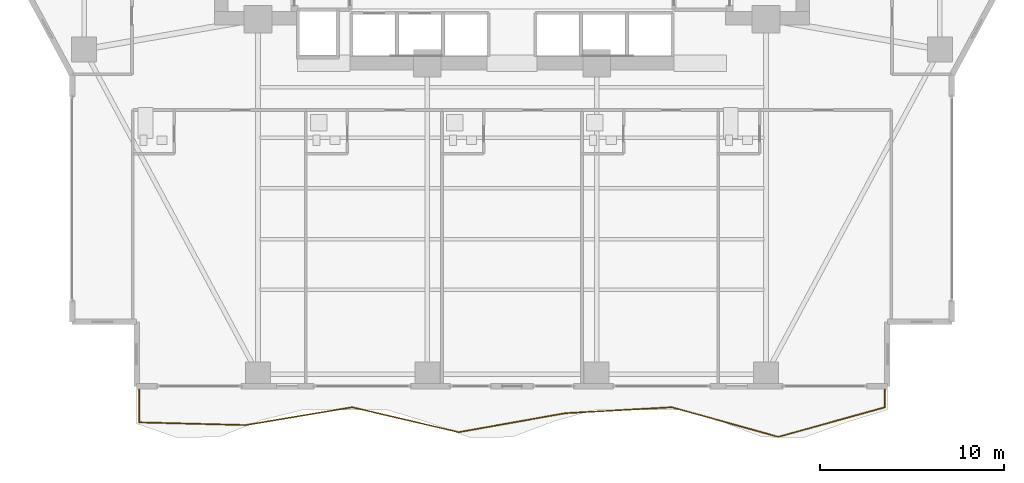
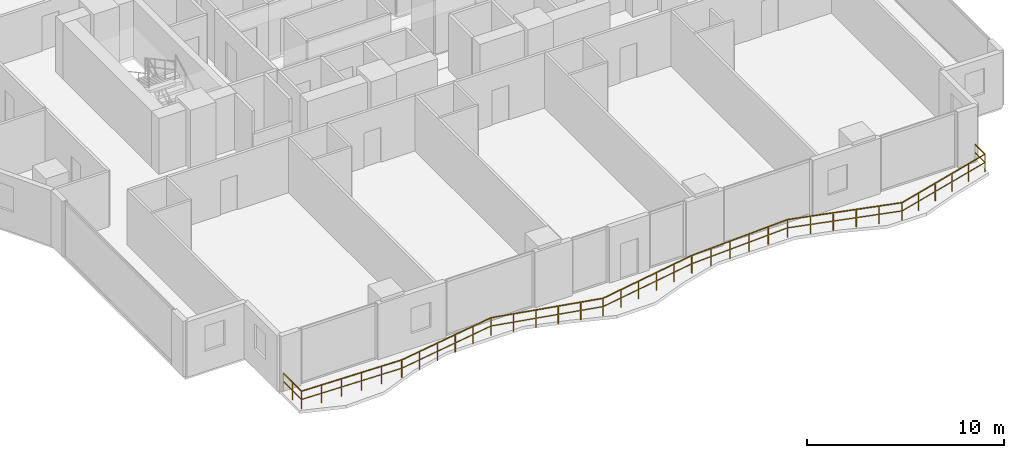
# One storey, part 25 of 28: 1 railing.
"""IFC4 building model written with IfcOpenShell, lengths in metres."""

import ifcopenshell
import ifcopenshell.guid

model = None  # the IFC model being written
_history = None  # IfcOwnerHistory: only IFC2X3 demands one
_inside = {}  # id of a spatial element -> (the spatial element, [elements in it])
_under = {}  # id of a project, library or spatial element -> (it, [spatial elements below it])
_declared = {}  # id of a project -> (the project, [libraries it declares])
_typed = {}  # id of a type object -> (the type object, [elements of that type])
_made_of = {}  # id of a material, layer set ... -> (it, [elements and type objects made of it])


def new_model(schema):
    """Start an empty IFC model of exactly this schema.

    Asked for "IFC4X3", IfcOpenShell would pick the latest addendum, in which some entities
    have other attributes; the version numbers below select the first issue.
    IFC2X3 requires an IfcOwnerHistory on every rooted entity: one is made here for all.
    """
    global model, _history
    if schema == "IFC4X3":
        model = ifcopenshell.file(schema_version=(4, 3, 0, 0))
    else:
        model = ifcopenshell.file(schema=schema)
    _inside.clear()
    _under.clear()
    _declared.clear()
    _typed.clear()
    _made_of.clear()
    _history = None
    if model.schema == "IFC2X3":
        org = make("IfcOrganization", Name="unknown")
        user = make(
            "IfcPersonAndOrganization",
            ThePerson=make("IfcPerson", FamilyName="unknown"),
            TheOrganization=org,
        )
        app = make(
            "IfcApplication",
            ApplicationDeveloper=org,
            Version="unknown",
            ApplicationFullName="unknown",
            ApplicationIdentifier="unknown",
        )
        _history = make(
            "IfcOwnerHistory",
            OwningUser=user,
            OwningApplication=app,
            ChangeAction="ADDED",
            CreationDate=0,
        )
    return model


def make(cls, **values):
    """One entity of the class cls with the attributes given. An attribute that is None is left unset."""
    return model.create_entity(
        cls, **{name: value for name, value in values.items() if value is not None}
    )


def rooted(cls, **values):
    """An entity with a GlobalId (a new one), such as an element, a storey or a relation."""
    return make(cls, GlobalId=ifcopenshell.guid.new(), OwnerHistory=_history, **values)


def si_unit(unit_type, name, prefix=None):
    """IfcSIUnit, for example si_unit("LENGTHUNIT", "METRE", prefix="MILLI")."""
    return make("IfcSIUnit", UnitType=unit_type, Prefix=prefix, Name=name)


def assignment(units):
    """IfcUnitAssignment: the units of a project."""
    return None if units is None else make("IfcUnitAssignment", Units=units)


def point(xyz):
    """IfcCartesianPoint."""
    return None if xyz is None else make("IfcCartesianPoint", Coordinates=xyz)


def direction(xyz):
    """IfcDirection."""
    return None if xyz is None else make("IfcDirection", DirectionRatios=xyz)


def frame(location, z_axis=None, x_axis=None):
    """IfcAxis2Placement3D, a coordinate frame: its origin and axes. An axis left out is left unset."""
    return make(
        "IfcAxis2Placement3D",
        Location=point(location),
        Axis=direction(z_axis),
        RefDirection=direction(x_axis),
    )


def frame_2d(location, x_axis=None):
    """IfcAxis2Placement2D, a coordinate frame in the plane: its origin and x axis."""
    return make(
        "IfcAxis2Placement2D", Location=point(location), RefDirection=direction(x_axis)
    )


def origin():
    """The frame at (0, 0, 0) with its axes left unset."""
    return frame((0.0, 0.0, 0.0))


def origin_2d():
    """The frame at (0, 0) in the plane with its x axis left unset."""
    return frame_2d((0.0, 0.0))


def place(relative_to, where):
    """IfcLocalPlacement: puts the frame where relative to a parent placement (None: the world)."""
    return make(
        "IfcLocalPlacement", PlacementRelTo=relative_to, RelativePlacement=where
    )


def context(
    kind, dimensions, precision=None, world=None, true_north=None, identifier=None
):
    """IfcGeometricRepresentationContext, for example the 3D "Model" context."""
    return make(
        "IfcGeometricRepresentationContext",
        ContextIdentifier=identifier,
        ContextType=kind,
        CoordinateSpaceDimension=dimensions,
        Precision=precision,
        WorldCoordinateSystem=world,
        TrueNorth=true_north,
    )


def subcontext(parent, identifier, kind, view, scale=None):
    """IfcGeometricRepresentationSubContext, for example "Body" below "Model"."""
    return make(
        "IfcGeometricRepresentationSubContext",
        ContextIdentifier=identifier,
        ContextType=kind,
        ParentContext=parent,
        TargetScale=scale,
        TargetView=view,
    )


def project(units=None, contexts=None):
    """IfcProject with its units and contexts."""
    return rooted(
        "IfcProject",
        Name="project",
        RepresentationContexts=contexts,
        UnitsInContext=assignment(units),
    )


def spatial(cls, under=None, at=None, **own):
    """A site, building, storey or space (cls), placed at a placement, below another one or the project."""
    s = rooted(cls, ObjectPlacement=at, **own)
    if under is not None:
        _under.setdefault(under.id(), (under, []))[1].append(s)
    return s


def profile(cls, at=None, kind="AREA", **sizes):
    """A parametric profile (cls). Its sizes go by their IFC names, for example OverallWidth=200.0."""
    return make(cls, ProfileType=kind, Position=at, **sizes)


def rectangle(**sizes):
    """IfcRectangleProfileDef."""
    return profile("IfcRectangleProfileDef", **sizes)


def extrude(swept, where, along, depth):
    """IfcExtrudedAreaSolid: the profile swept, set in the frame where, extruded along a direction by depth."""
    return make(
        "IfcExtrudedAreaSolid",
        SweptArea=swept,
        Position=where,
        ExtrudedDirection=direction(along),
        Depth=depth,
    )


def shape(context_of_items, identifier, shape_type, items):
    """IfcShapeRepresentation: the items that make up one representation, for example the "Body"."""
    return make(
        "IfcShapeRepresentation",
        ContextOfItems=context_of_items,
        RepresentationIdentifier=identifier,
        RepresentationType=shape_type,
        Items=items,
    )


def material(Name=None, Category=None):
    """IfcMaterial."""
    return make("IfcMaterial", Name=Name, Category=Category)


def made_of(thing, what):
    """Note that an element or type object is made of a material, layer set ...; save() writes the relation."""
    if what is not None:
        _made_of.setdefault(what.id(), (what, []))[1].append(thing)
    return thing


def type_object(cls, material=None, **own):
    """A type object (cls), such as IfcWallType, which elements share."""
    return made_of(rooted(cls, **own), material)


def element(
    cls,
    number,
    at=None,
    inside=None,
    cuts=None,
    type_object=None,
    material=None,
    context=None,
    identifier="Body",
    shape_type=None,
    held_by="IfcProductDefinitionShape",
    body=None,
    shapes=None,
    **own,
):
    """One element of the class cls, such as IfcWall. Its Tag is "e" and its number.

    at: its placement. inside: the storey or other place that contains it. cuts: it is an
    opening in that element (IfcRelVoidsElement). A single representation is given by context,
    identifier, shape_type and body (its items); several are given by shapes. held_by: the class
    of the entity that holds the representations. save() writes the other relations.
    """
    e = rooted(cls, Tag="e%d" % number, ObjectPlacement=at, **own)
    if body is not None:
        shapes = [shape(context, identifier, shape_type, body)]
    if shapes is not None:
        e.Representation = make(held_by, Representations=shapes)
    if inside is not None:
        _inside.setdefault(inside.id(), (inside, []))[1].append(e)
    if cuts is not None:
        rooted(
            "IfcRelVoidsElement", RelatingBuildingElement=cuts, RelatedOpeningElement=e
        )
    if type_object is not None:
        _typed.setdefault(type_object.id(), (type_object, []))[1].append(e)
    return made_of(e, material)


def aggregate(whole, parts):
    """IfcRelAggregates: a whole, such as a stair, and the parts it consists of."""
    return rooted("IfcRelAggregates", RelatingObject=whole, RelatedObjects=parts)


def save(model, path):
    """Write the relations noted so far, then the file.

    IfcRelAggregates (storeys below a building ...), IfcRelContainedInSpatialStructure (elements
    in a storey), IfcRelDefinesByType, IfcRelAssociatesMaterial and IfcRelDeclares: one each for
    every whole, place, type object, material and project.
    """
    for whole, parts in _under.values():
        aggregate(whole, parts)
    for where, things in _inside.values():
        rooted(
            "IfcRelContainedInSpatialStructure",
            RelatedElements=things,
            RelatingStructure=where,
        )
    for kind, things in _typed.values():
        rooted("IfcRelDefinesByType", RelatedObjects=things, RelatingType=kind)
    for what, things in _made_of.values():
        rooted("IfcRelAssociatesMaterial", RelatedObjects=things, RelatingMaterial=what)
    for by, libraries in _declared.values():
        rooted("IfcRelDeclares", RelatingContext=by, RelatedDefinitions=libraries)
    model.write(path)


model = new_model("IFC4")

# Units and contexts
model_context = context("Model", 3, precision=1e-05, world=origin(), true_north=direction((0.0, 1.0)))
body_context = subcontext(model_context, "Body", "Model", "MODEL_VIEW")
ifc_project = project(units=[si_unit("LENGTHUNIT", "METRE"), si_unit("AREAUNIT", "SQUARE_METRE"), si_unit("VOLUMEUNIT", "CUBIC_METRE"), si_unit("PLANEANGLEUNIT", "RADIAN"), si_unit("MASSUNIT", "GRAM", prefix="KILO")], contexts=[model_context])

# Site, building, storey
site_placement = place(None, origin())
site = spatial("IfcSite", under=ifc_project, at=site_placement, CompositionType="ELEMENT")
building_placement = place(site_placement, origin())
building = spatial("IfcBuilding", under=site, at=building_placement, Name="Zuhayl Quay Hotel", CompositionType="ELEMENT")
storey_placement = place(building_placement, frame((0.0, 0.0, 99.300048828125)))
storey = spatial("IfcBuildingStorey", under=building, at=storey_placement, Name="L24", CompositionType="ELEMENT", Elevation=99.300048828125)

# Railing
ifc_material = material(Name="Anodised Aluminium and Laminated Glass", Category="aluminium")
railing_type = type_object("IfcRailingType", Name="RL_EXT_BAL_1100", PredefinedType="BALUSTRADE", material=ifc_material)
railing_placement = place(storey_placement, frame((-20.260009765625, -15.52001953125, 0.0)))
element("IfcRailing", 1, at=railing_placement, inside=storey, type_object=railing_type, Name="L24 Balcony and Terrace Guard GR_L24_BAL_S", PredefinedType="BALUSTRADE", context=body_context, shape_type="SweptSolid", body=[
    extrude(rectangle(XDim=0.048095703125, YDim=0.048095703125, at=origin_2d()), frame((0.0, 0.0, 1.09619140625), z_axis=(0.0, -1.0, 0.0), x_axis=(1.0, 0.0, 0.0)), (0.0, 0.0, 1.0), 1.841064453125),
    extrude(rectangle(XDim=0.0361328125, YDim=0.0361328125, at=origin_2d()), frame((0.0, 0.0, 0.58251953125), z_axis=(0.0, -1.0, 0.0), x_axis=(1.0, 0.0, 0.0)), (0.0, 0.0, 1.0), 1.841064453125),
    extrude(rectangle(XDim=0.048095703125, YDim=0.048095703125, at=origin_2d()), frame((0.0, -1.841064453125, 1.09619140625), z_axis=(0.99967568319, -0.025466221537, 0.0), x_axis=(0.025466221537, 0.99967568319, 0.0)), (0.0, 0.0, 1.0), 5.79052734375),
    extrude(rectangle(XDim=0.0361328125, YDim=0.0361328125, at=origin_2d()), frame((0.0, -1.841064453125, 0.58251953125), z_axis=(0.99967568319, -0.025466221537, 0.0), x_axis=(0.025466221537, 0.99967568319, 0.0)), (0.0, 0.0, 1.0), 5.79052734375),
    extrude(rectangle(XDim=0.048095703125, YDim=0.048095703125, at=origin_2d()), frame((5.78857421875, -1.988525390625, 1.09619140625), z_axis=(0.98629029556, 0.165019553036, 0.0), x_axis=(-0.165019553036, 0.98629029556, 0.0)), (0.0, 0.0, 1.0), 5.869140625),
    extrude(rectangle(XDim=0.0361328125, YDim=0.0361328125, at=origin_2d()), frame((5.78857421875, -1.988525390625, 0.58251953125), z_axis=(0.98629029556, 0.165019553036, 0.0), x_axis=(-0.165019553036, 0.98629029556, 0.0)), (0.0, 0.0, 1.0), 5.869140625),
    extrude(rectangle(XDim=0.048095703125, YDim=0.048095703125, at=origin_2d()), frame((11.5771484375, -1.02001953125, 1.09619140625), z_axis=(0.973744182885, -0.227645044527, 0.0), x_axis=(0.227645044527, 0.973744182885, 0.0)), (0.0, 0.0, 1.0), 5.944580078125),
    extrude(rectangle(XDim=0.0361328125, YDim=0.0361328125, at=origin_2d()), frame((11.5771484375, -1.02001953125, 0.58251953125), z_axis=(0.973744182885, -0.227645044527, 0.0), x_axis=(0.227645044527, 0.973744182885, 0.0)), (0.0, 0.0, 1.0), 5.944580078125),
    extrude(rectangle(XDim=0.048095703125, YDim=0.048095703125, at=origin_2d()), frame((17.36572265625, -2.373291015625, 1.09619140625), z_axis=(0.984548987977, 0.175109366609, 0.0), x_axis=(-0.175109366609, 0.984548987977, 0.0)), (0.0, 0.0, 1.0), 5.87939453125),
    extrude(rectangle(XDim=0.0361328125, YDim=0.0361328125, at=origin_2d()), frame((17.36572265625, -2.373291015625, 0.58251953125), z_axis=(0.984548987977, 0.175109366609, 0.0), x_axis=(-0.175109366609, 0.984548987977, 0.0)), (0.0, 0.0, 1.0), 5.87939453125),
    extrude(rectangle(XDim=0.048095703125, YDim=0.048095703125, at=origin_2d()), frame((23.154296875, -1.34375, 1.09619140625), z_axis=(0.998439813026, 0.05583851506, 0.0), x_axis=(-0.05583851506, 0.998439813026, 0.0)), (0.0, 0.0, 1.0), 5.797607421875),
    extrude(rectangle(XDim=0.0361328125, YDim=0.0361328125, at=origin_2d()), frame((23.154296875, -1.34375, 0.58251953125), z_axis=(0.998439813026, 0.05583851506, 0.0), x_axis=(-0.05583851506, 0.998439813026, 0.0)), (0.0, 0.0, 1.0), 5.797607421875),
    extrude(rectangle(XDim=0.048095703125, YDim=0.048095703125, at=origin_2d()), frame((28.94287109375, -1.02001953125, 1.09619140625), z_axis=(0.963445687093, -0.267903729018, 0.0), x_axis=(0.267903729018, 0.963445687093, 0.0)), (0.0, 0.0, 1.0), 6.00830078125),
    extrude(rectangle(XDim=0.0361328125, YDim=0.0361328125, at=origin_2d()), frame((28.94287109375, -1.02001953125, 0.58251953125), z_axis=(0.963445687093, -0.267903729018, 0.0), x_axis=(0.267903729018, 0.963445687093, 0.0)), (0.0, 0.0, 1.0), 6.00830078125),
    extrude(rectangle(XDim=0.048095703125, YDim=0.048095703125, at=origin_2d()), frame((34.7314453125, -2.629638671875, 1.09619140625), z_axis=(0.963445687093, 0.267903729018, 0.0), x_axis=(-0.267903729018, 0.963445687093, 0.0)), (0.0, 0.0, 1.0), 6.00830078125),
    extrude(rectangle(XDim=0.0361328125, YDim=0.0361328125, at=origin_2d()), frame((34.7314453125, -2.629638671875, 0.58251953125), z_axis=(0.963445687093, 0.267903729018, 0.0), x_axis=(-0.267903729018, 0.963445687093, 0.0)), (0.0, 0.0, 1.0), 6.00830078125),
    extrude(rectangle(XDim=0.048095703125, YDim=0.048095703125, at=origin_2d()), frame((40.52001953125, -1.02001953125, 1.09619140625), z_axis=(0.0, 1.0, 0.0), x_axis=(-1.0, 0.0, 0.0)), (0.0, 0.0, 1.0), 1.02001953125),
    extrude(rectangle(XDim=0.0361328125, YDim=0.0361328125, at=origin_2d()), frame((40.52001953125, -1.02001953125, 0.58251953125), z_axis=(0.0, 1.0, 0.0), x_axis=(-1.0, 0.0, 0.0)), (0.0, 0.0, 1.0), 1.02001953125),
    extrude(rectangle(XDim=0.0419921875, YDim=0.0419921875, at=origin_2d()), origin(), (0.0, 0.0, 1.0), 1.072021484375),
    extrude(rectangle(XDim=0.0419921875, YDim=0.0419921875, at=origin_2d()), frame((0.0, -0.92041015625, 0.0)), (0.0, 0.0, 1.0), 1.072021484375),
    extrude(rectangle(XDim=0.0419921875, YDim=0.0419921875, at=origin_2d()), frame((0.0, -1.841064453125, 0.0)), (0.0, 0.0, 1.0), 1.072021484375),
    extrude(rectangle(XDim=0.0419921875, YDim=0.0419921875, at=origin_2d()), frame((1.15771484375, -1.87060546875, 0.0)), (0.0, 0.0, 1.0), 1.072021484375),
    extrude(rectangle(XDim=0.0419921875, YDim=0.0419921875, at=origin_2d()), frame((2.3154296875, -1.900146484375, 0.0)), (0.0, 0.0, 1.0), 1.072021484375),
    extrude(rectangle(XDim=0.0419921875, YDim=0.0419921875, at=origin_2d()), frame((3.47314453125, -1.929443359375, 0.0)), (0.0, 0.0, 1.0), 1.072021484375),
    extrude(rectangle(XDim=0.0419921875, YDim=0.0419921875, at=origin_2d()), frame((4.630859375, -1.958984375, 0.0)), (0.0, 0.0, 1.0), 1.072021484375),
    extrude(rectangle(XDim=0.0419921875, YDim=0.0419921875, at=origin_2d()), frame((5.78857421875, -1.988525390625, 0.0)), (0.0, 0.0, 1.0), 1.072021484375),
    extrude(rectangle(XDim=0.0419921875, YDim=0.0419921875, at=origin_2d()), frame((6.9462890625, -1.794921875, 0.0)), (0.0, 0.0, 1.0), 1.072021484375),
    extrude(rectangle(XDim=0.0419921875, YDim=0.0419921875, at=origin_2d()), frame((8.10400390625, -1.60107421875, 0.0)), (0.0, 0.0, 1.0), 1.072021484375),
    extrude(rectangle(XDim=0.0419921875, YDim=0.0419921875, at=origin_2d()), frame((9.26171875, -1.407470703125, 0.0)), (0.0, 0.0, 1.0), 1.072021484375),
    extrude(rectangle(XDim=0.0419921875, YDim=0.0419921875, at=origin_2d()), frame((10.41943359375, -1.213623046875, 0.0)), (0.0, 0.0, 1.0), 1.072021484375),
    extrude(rectangle(XDim=0.0419921875, YDim=0.0419921875, at=origin_2d()), frame((11.5771484375, -1.02001953125, 0.0)), (0.0, 0.0, 1.0), 1.072021484375),
    extrude(rectangle(XDim=0.0419921875, YDim=0.0419921875, at=origin_2d()), frame((12.73486328125, -1.290771484375, 0.0)), (0.0, 0.0, 1.0), 1.072021484375),
    extrude(rectangle(XDim=0.0419921875, YDim=0.0419921875, at=origin_2d()), frame((13.892578125, -1.561279296875, 0.0)), (0.0, 0.0, 1.0), 1.072021484375),
    extrude(rectangle(XDim=0.0419921875, YDim=0.0419921875, at=origin_2d()), frame((15.05029296875, -1.83203125, 0.0)), (0.0, 0.0, 1.0), 1.072021484375),
    extrude(rectangle(XDim=0.0419921875, YDim=0.0419921875, at=origin_2d()), frame((16.2080078125, -2.1025390625, 0.0)), (0.0, 0.0, 1.0), 1.072021484375),
    extrude(rectangle(XDim=0.0419921875, YDim=0.0419921875, at=origin_2d()), frame((17.36572265625, -2.373291015625, 0.0)), (0.0, 0.0, 1.0), 1.072021484375),
    extrude(rectangle(XDim=0.0419921875, YDim=0.0419921875, at=origin_2d()), frame((18.5234375, -2.16748046875, 0.0)), (0.0, 0.0, 1.0), 1.072021484375),
    extrude(rectangle(XDim=0.0419921875, YDim=0.0419921875, at=origin_2d()), frame((19.68115234375, -1.96142578125, 0.0)), (0.0, 0.0, 1.0), 1.072021484375),
    extrude(rectangle(XDim=0.0419921875, YDim=0.0419921875, at=origin_2d()), frame((20.8388671875, -1.755615234375, 0.0)), (0.0, 0.0, 1.0), 1.072021484375),
    extrude(rectangle(XDim=0.0419921875, YDim=0.0419921875, at=origin_2d()), frame((21.99658203125, -1.549560546875, 0.0)), (0.0, 0.0, 1.0), 1.072021484375),
    extrude(rectangle(XDim=0.0419921875, YDim=0.0419921875, at=origin_2d()), frame((23.154296875, -1.34375, 0.0)), (0.0, 0.0, 1.0), 1.072021484375),
    extrude(rectangle(XDim=0.0419921875, YDim=0.0419921875, at=origin_2d()), frame((24.31201171875, -1.279052734375, 0.0)), (0.0, 0.0, 1.0), 1.072021484375),
    extrude(rectangle(XDim=0.0419921875, YDim=0.0419921875, at=origin_2d()), frame((25.4697265625, -1.21435546875, 0.0)), (0.0, 0.0, 1.0), 1.072021484375),
    extrude(rectangle(XDim=0.0419921875, YDim=0.0419921875, at=origin_2d()), frame((26.62744140625, -1.1494140625, 0.0)), (0.0, 0.0, 1.0), 1.072021484375),
    extrude(rectangle(XDim=0.0419921875, YDim=0.0419921875, at=origin_2d()), frame((27.78515625, -1.084716796875, 0.0)), (0.0, 0.0, 1.0), 1.072021484375),
    extrude(rectangle(XDim=0.0419921875, YDim=0.0419921875, at=origin_2d()), frame((28.94287109375, -1.02001953125, 0.0)), (0.0, 0.0, 1.0), 1.072021484375),
    extrude(rectangle(XDim=0.0419921875, YDim=0.0419921875, at=origin_2d()), frame((30.1005859375, -1.342041015625, 0.0)), (0.0, 0.0, 1.0), 1.072021484375),
    extrude(rectangle(XDim=0.0419921875, YDim=0.0419921875, at=origin_2d()), frame((31.25830078125, -1.663818359375, 0.0)), (0.0, 0.0, 1.0), 1.072021484375),
    extrude(rectangle(XDim=0.0419921875, YDim=0.0419921875, at=origin_2d()), frame((32.416015625, -1.98583984375, 0.0)), (0.0, 0.0, 1.0), 1.072021484375),
    extrude(rectangle(XDim=0.0419921875, YDim=0.0419921875, at=origin_2d()), frame((33.57373046875, -2.3076171875, 0.0)), (0.0, 0.0, 1.0), 1.072021484375),
    extrude(rectangle(XDim=0.0419921875, YDim=0.0419921875, at=origin_2d()), frame((34.7314453125, -2.629638671875, 0.0)), (0.0, 0.0, 1.0), 1.072021484375),
    extrude(rectangle(XDim=0.0419921875, YDim=0.0419921875, at=origin_2d()), frame((35.88916015625, -2.3076171875, 0.0)), (0.0, 0.0, 1.0), 1.072021484375),
    extrude(rectangle(XDim=0.0419921875, YDim=0.0419921875, at=origin_2d()), frame((37.046875, -1.98583984375, 0.0)), (0.0, 0.0, 1.0), 1.072021484375),
    extrude(rectangle(XDim=0.0419921875, YDim=0.0419921875, at=origin_2d()), frame((38.20458984375, -1.663818359375, 0.0)), (0.0, 0.0, 1.0), 1.072021484375),
    extrude(rectangle(XDim=0.0419921875, YDim=0.0419921875, at=origin_2d()), frame((39.3623046875, -1.342041015625, 0.0)), (0.0, 0.0, 1.0), 1.072021484375),
    extrude(rectangle(XDim=0.0419921875, YDim=0.0419921875, at=origin_2d()), frame((40.52001953125, -1.02001953125, 0.0)), (0.0, 0.0, 1.0), 1.072021484375),
    extrude(rectangle(XDim=0.0419921875, YDim=0.0419921875, at=origin_2d()), frame((40.52001953125, 0.0, 0.0)), (0.0, 0.0, 1.0), 1.072021484375),
])

save(model, "model.ifc")
